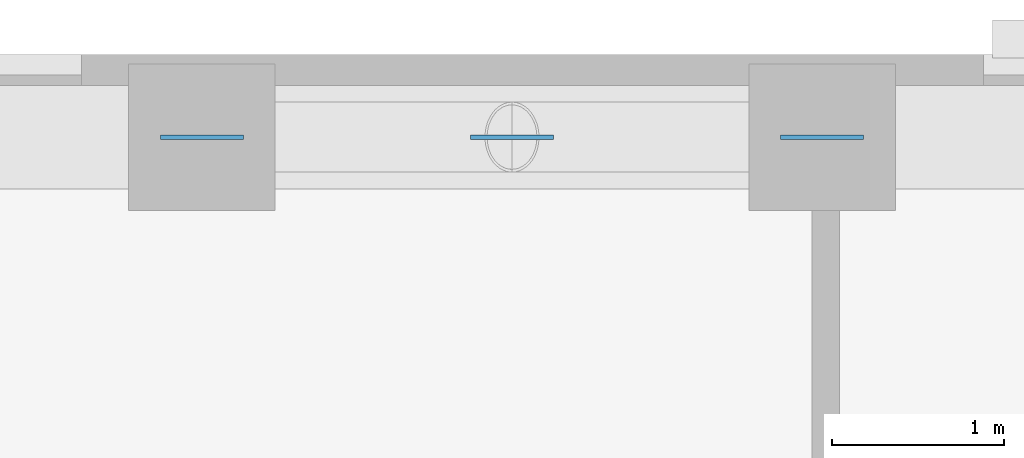
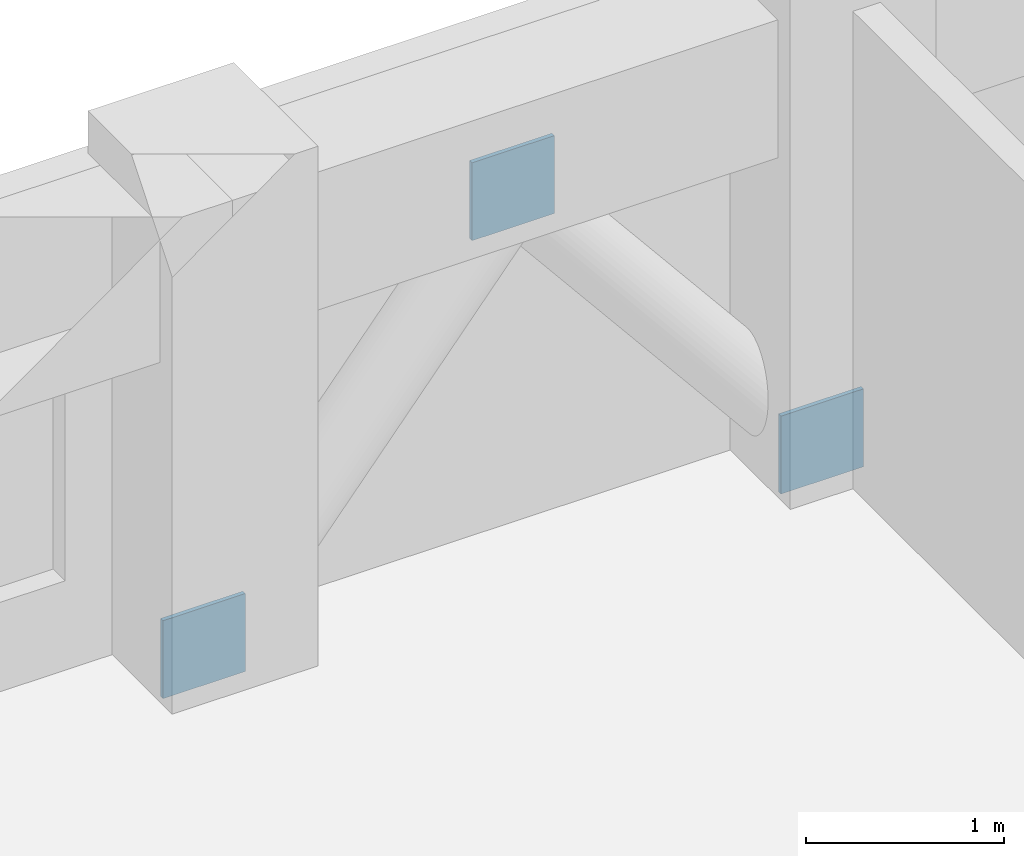
# One storey, part 10 of 12: 3 discrete accessories.
"""IFC4 building model written with IfcOpenShell, lengths in metres."""

from ifc_helpers import new_model, si_unit, derived_unit, direction, frame, origin, origin_2d, place, context, subcontext, project, spatial, rectangle, extrude, material, layer, layer_set, type_object, element, save


model = new_model("IFC4")

# Units and contexts
model_context = context("Model", 3, precision=1e-05, world=origin(), true_north=direction((0.0, 1.0)))
body_context = subcontext(model_context, "Body", "Model", "MODEL_VIEW")
ifc_project = project(units=[si_unit("LENGTHUNIT", "METRE"), si_unit("AREAUNIT", "SQUARE_METRE"), si_unit("VOLUMEUNIT", "CUBIC_METRE"), si_unit("PLANEANGLEUNIT", "RADIAN"), si_unit("MASSUNIT", "GRAM", prefix="KILO"), derived_unit("THERMALTRANSMITTANCEUNIT", [(si_unit("MASSUNIT", "GRAM", prefix="KILO"), 1), (si_unit("TIMEUNIT", "SECOND"), -3), (si_unit("THERMODYNAMICTEMPERATUREUNIT", "KELVIN"), -1)])], contexts=[model_context])

# Site, building, storey
site_placement = place(None, origin())
site = spatial("IfcSite", under=ifc_project, at=site_placement, CompositionType="ELEMENT")
building_placement = place(site_placement, origin())
building = spatial("IfcBuilding", under=site, at=building_placement, Name="Korrvale Station Residences", CompositionType="ELEMENT")
storey_placement = place(building_placement, frame((0.0, 0.0, 87.89990234375)))
storey = spatial("IfcBuildingStorey", under=building, at=storey_placement, Name="L24", CompositionType="ELEMENT", Elevation=87.89990234375)

# Discrete accessories
ifc_material = material(Name="Steel S355", Category="steel")
ifc_layer = layer(ifc_material, 0.02490234375, Name="Steel S355")
ifc_layer_set = layer_set([ifc_layer], Name="Steel S355")
discrete_accessory_type = type_object("IfcDiscreteAccessoryType", Name="ACC-GUSSET-25", PredefinedType="BRACKET", material=ifc_layer_set)
for number, where, z_axis, x_axis, name in (
    (1, (23.199951171875, 42.820068359375, -0.219970703125), (0.0, 0.0, 1.0), (1.0, 0.0, 0.0), "L24 N Brace End Gusset Connection A"),
    (2, (26.800048828125, 42.820068359375, -0.219970703125), (0.0, 0.0, 1.0), (1.0, 0.0, 0.0), "L24 N Brace End Gusset Connection B"),
    (3, (25.0, 42.820068359375, 1.97021484375), (0.0, 0.0, 1.0), (1.0, 0.0, 0.0), "L24 N Brace End Gusset Connection M"),
):
    element("IfcDiscreteAccessory", number, at=place(storey_placement, frame(where, z_axis=z_axis, x_axis=x_axis)), inside=storey, type_object=discrete_accessory_type, Name=name, PredefinedType="BRACKET", context=body_context, shape_type="SweptSolid", body=[
        extrude(rectangle(XDim=0.47998046875, YDim=0.02490234375, at=origin_2d()), origin(), (0.0, 0.0, 1.0), 0.47998046875),
    ])

save(model, "model.ifc")
